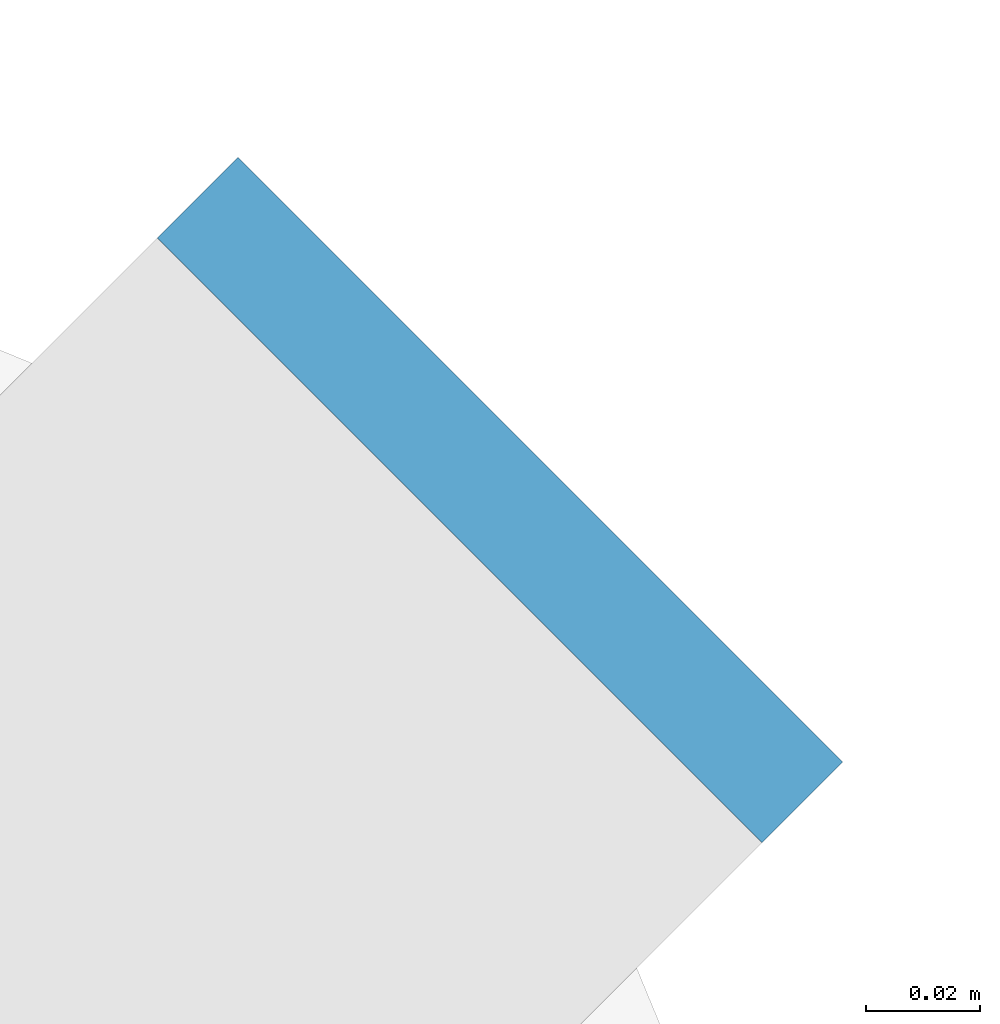
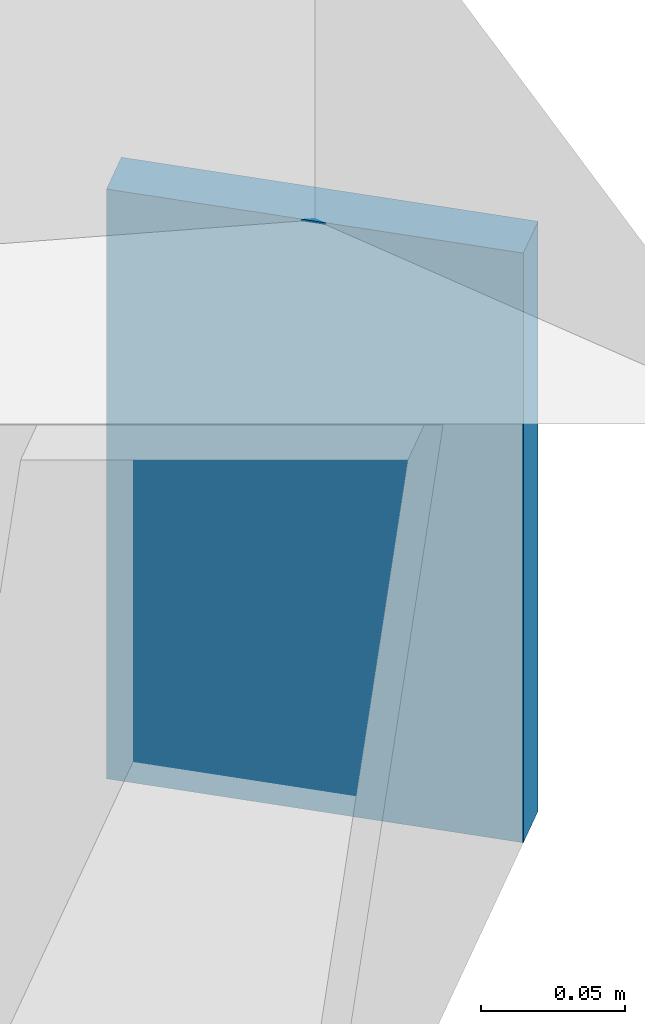
# One storey, part 20 of 30: 1 discrete accessory.
"""IFC4 building model written with IfcOpenShell, lengths in metres."""

from ifc_helpers import new_model, si_unit, direction, frame, origin, origin_2d, place, context, subcontext, project, spatial, rectangle, extrude, material, layer, layer_set, type_object, element, save


model = new_model("IFC4")

# Units and contexts
model_context = context("Model", 3, precision=1e-05, world=origin(), true_north=direction((0.0, 1.0)))
body_context = subcontext(model_context, "Body", "Model", "MODEL_VIEW")
ifc_project = project(units=[si_unit("LENGTHUNIT", "METRE"), si_unit("AREAUNIT", "SQUARE_METRE"), si_unit("VOLUMEUNIT", "CUBIC_METRE"), si_unit("PLANEANGLEUNIT", "RADIAN"), si_unit("MASSUNIT", "GRAM", prefix="KILO")], contexts=[model_context])

# Site, building, storey
site_placement = place(None, origin())
site = spatial("IfcSite", under=ifc_project, at=site_placement, CompositionType="ELEMENT")
building_placement = place(site_placement, origin())
building = spatial("IfcBuilding", under=site, at=building_placement, Name="Siwar Civic Tower", CompositionType="ELEMENT")
storey_placement = place(building_placement, frame((0.0, 0.0, 44.699951171875)))
storey = spatial("IfcBuildingStorey", under=building, at=storey_placement, Name="L09", CompositionType="ELEMENT", Elevation=44.699951171875)

# Discrete accessory
ifc_material = material(Name="Steel S355", Category="steel")
ifc_layer = layer(ifc_material, 0.02001953125)
ifc_layer_set = layer_set([ifc_layer], Name="Steel S355")
discrete_accessory_type = type_object("IfcDiscreteAccessoryType", Name="STR-END-CAP", PredefinedType="USERDEFINED", material=ifc_layer_set)
discrete_accessory_placement = place(storey_placement, frame((30.478271484375, 30.478271484375, -0.39990234375), z_axis=(0.0, 0.0, 1.0), x_axis=(0.707106781187, 0.707106781187, 0.0)))
element("IfcDiscreteAccessory", 1, at=discrete_accessory_placement, inside=storey, type_object=discrete_accessory_type, Name="End cap plate Balcony cantilever beam NE 2", ObjectType="END CAP PLATE", PredefinedType="USERDEFINED", context=body_context, shape_type="SweptSolid", body=[
    extrude(rectangle(XDim=0.02001953125, YDim=0.14990234375, at=origin_2d()), origin(), (0.0, 0.0, 1.0), 0.25),
])

save(model, "model.ifc")
